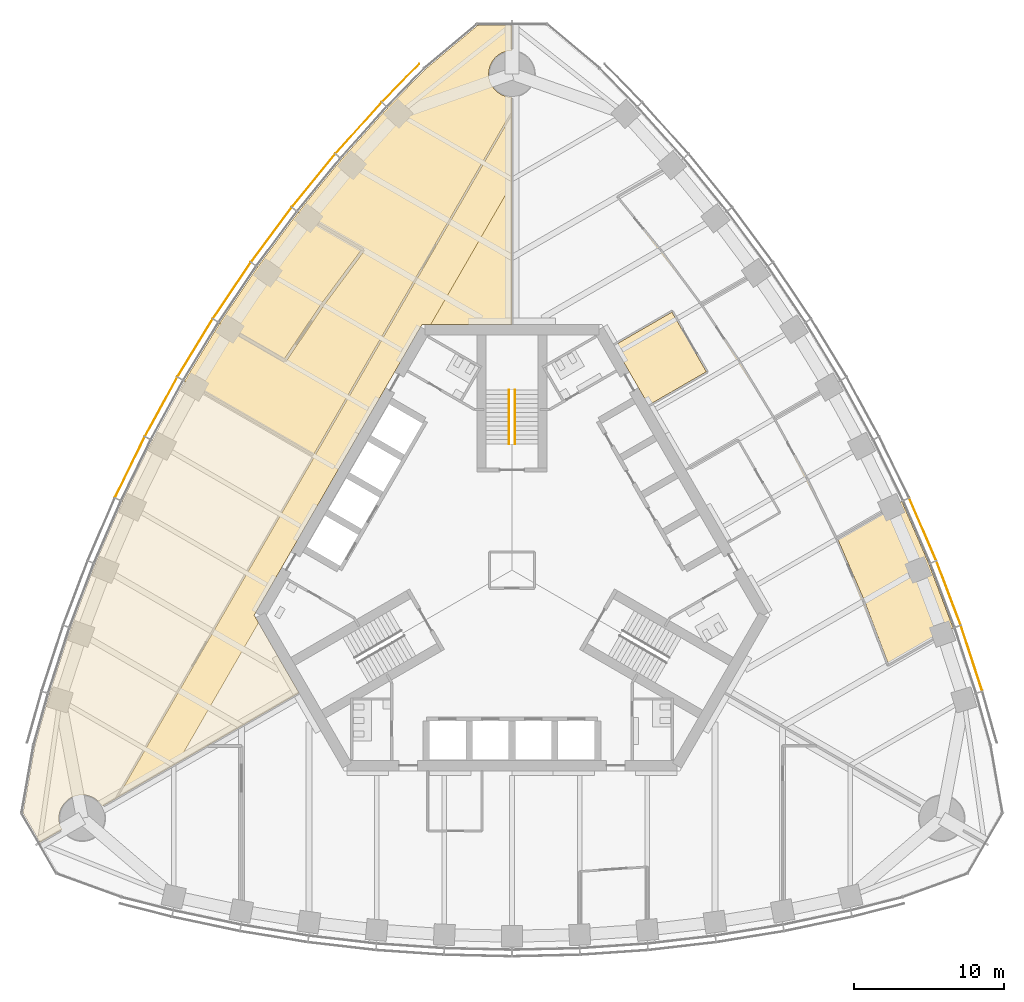
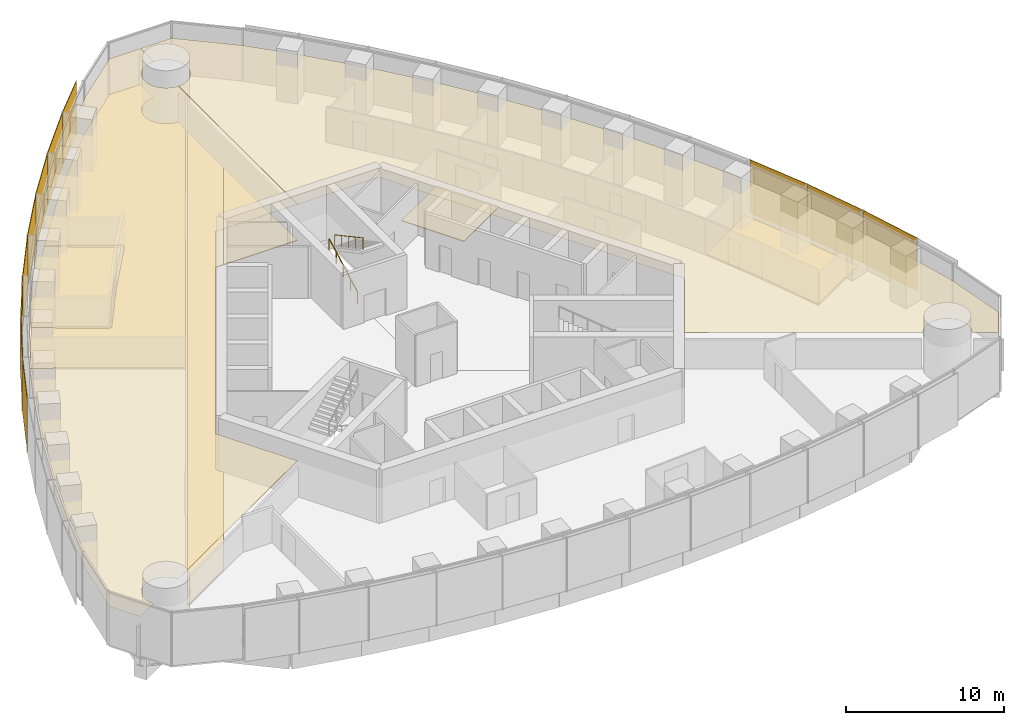
# One storey, part 16 of 19: 11 shading devices, 8 coverings, 2 railings.
"""IFC4 building model written with IfcOpenShell, lengths in metres."""

import ifcopenshell
import ifcopenshell.guid

model = None  # the IFC model being written
_history = None  # IfcOwnerHistory: only IFC2X3 demands one
_inside = {}  # id of a spatial element -> (the spatial element, [elements in it])
_under = {}  # id of a project, library or spatial element -> (it, [spatial elements below it])
_declared = {}  # id of a project -> (the project, [libraries it declares])
_typed = {}  # id of a type object -> (the type object, [elements of that type])
_made_of = {}  # id of a material, layer set ... -> (it, [elements and type objects made of it])


def new_model(schema):
    """Start an empty IFC model of exactly this schema.

    Asked for "IFC4X3", IfcOpenShell would pick the latest addendum, in which some entities
    have other attributes; the version numbers below select the first issue.
    IFC2X3 requires an IfcOwnerHistory on every rooted entity: one is made here for all.
    """
    global model, _history
    if schema == "IFC4X3":
        model = ifcopenshell.file(schema_version=(4, 3, 0, 0))
    else:
        model = ifcopenshell.file(schema=schema)
    _inside.clear()
    _under.clear()
    _declared.clear()
    _typed.clear()
    _made_of.clear()
    _history = None
    if model.schema == "IFC2X3":
        org = make("IfcOrganization", Name="unknown")
        user = make(
            "IfcPersonAndOrganization",
            ThePerson=make("IfcPerson", FamilyName="unknown"),
            TheOrganization=org,
        )
        app = make(
            "IfcApplication",
            ApplicationDeveloper=org,
            Version="unknown",
            ApplicationFullName="unknown",
            ApplicationIdentifier="unknown",
        )
        _history = make(
            "IfcOwnerHistory",
            OwningUser=user,
            OwningApplication=app,
            ChangeAction="ADDED",
            CreationDate=0,
        )
    return model


def make(cls, **values):
    """One entity of the class cls with the attributes given. An attribute that is None is left unset."""
    return model.create_entity(
        cls, **{name: value for name, value in values.items() if value is not None}
    )


def rooted(cls, **values):
    """An entity with a GlobalId (a new one), such as an element, a storey or a relation."""
    return make(cls, GlobalId=ifcopenshell.guid.new(), OwnerHistory=_history, **values)


def si_unit(unit_type, name, prefix=None):
    """IfcSIUnit, for example si_unit("LENGTHUNIT", "METRE", prefix="MILLI")."""
    return make("IfcSIUnit", UnitType=unit_type, Prefix=prefix, Name=name)


def assignment(units):
    """IfcUnitAssignment: the units of a project."""
    return None if units is None else make("IfcUnitAssignment", Units=units)


def point(xyz):
    """IfcCartesianPoint."""
    return None if xyz is None else make("IfcCartesianPoint", Coordinates=xyz)


def direction(xyz):
    """IfcDirection."""
    return None if xyz is None else make("IfcDirection", DirectionRatios=xyz)


def frame(location, z_axis=None, x_axis=None):
    """IfcAxis2Placement3D, a coordinate frame: its origin and axes. An axis left out is left unset."""
    return make(
        "IfcAxis2Placement3D",
        Location=point(location),
        Axis=direction(z_axis),
        RefDirection=direction(x_axis),
    )


def frame_2d(location, x_axis=None):
    """IfcAxis2Placement2D, a coordinate frame in the plane: its origin and x axis."""
    return make(
        "IfcAxis2Placement2D", Location=point(location), RefDirection=direction(x_axis)
    )


def origin():
    """The frame at (0, 0, 0) with its axes left unset."""
    return frame((0.0, 0.0, 0.0))


def origin_2d():
    """The frame at (0, 0) in the plane with its x axis left unset."""
    return frame_2d((0.0, 0.0))


def place(relative_to, where):
    """IfcLocalPlacement: puts the frame where relative to a parent placement (None: the world)."""
    return make(
        "IfcLocalPlacement", PlacementRelTo=relative_to, RelativePlacement=where
    )


def context(
    kind, dimensions, precision=None, world=None, true_north=None, identifier=None
):
    """IfcGeometricRepresentationContext, for example the 3D "Model" context."""
    return make(
        "IfcGeometricRepresentationContext",
        ContextIdentifier=identifier,
        ContextType=kind,
        CoordinateSpaceDimension=dimensions,
        Precision=precision,
        WorldCoordinateSystem=world,
        TrueNorth=true_north,
    )


def subcontext(parent, identifier, kind, view, scale=None):
    """IfcGeometricRepresentationSubContext, for example "Body" below "Model"."""
    return make(
        "IfcGeometricRepresentationSubContext",
        ContextIdentifier=identifier,
        ContextType=kind,
        ParentContext=parent,
        TargetScale=scale,
        TargetView=view,
    )


def project(units=None, contexts=None):
    """IfcProject with its units and contexts."""
    return rooted(
        "IfcProject",
        Name="project",
        RepresentationContexts=contexts,
        UnitsInContext=assignment(units),
    )


def spatial(cls, under=None, at=None, **own):
    """A site, building, storey or space (cls), placed at a placement, below another one or the project."""
    s = rooted(cls, ObjectPlacement=at, **own)
    if under is not None:
        _under.setdefault(under.id(), (under, []))[1].append(s)
    return s


def polyline(points):
    """IfcPolyline through the points."""
    return make("IfcPolyline", Points=[point(p) for p in points])


def profile(cls, at=None, kind="AREA", **sizes):
    """A parametric profile (cls). Its sizes go by their IFC names, for example OverallWidth=200.0."""
    return make(cls, ProfileType=kind, Position=at, **sizes)


def rectangle(**sizes):
    """IfcRectangleProfileDef."""
    return profile("IfcRectangleProfileDef", **sizes)


def circle(**sizes):
    """IfcCircleProfileDef."""
    return profile("IfcCircleProfileDef", **sizes)


def outline(outer, holes=None, kind="AREA"):
    """IfcArbitraryClosedProfileDef: a profile drawn as a closed curve; with holes, ...WithVoids."""
    if holes is None:
        return make("IfcArbitraryClosedProfileDef", ProfileType=kind, OuterCurve=outer)
    return make(
        "IfcArbitraryProfileDefWithVoids",
        ProfileType=kind,
        OuterCurve=outer,
        InnerCurves=holes,
    )


def extrude(swept, where, along, depth):
    """IfcExtrudedAreaSolid: the profile swept, set in the frame where, extruded along a direction by depth."""
    return make(
        "IfcExtrudedAreaSolid",
        SweptArea=swept,
        Position=where,
        ExtrudedDirection=direction(along),
        Depth=depth,
    )


def shape(context_of_items, identifier, shape_type, items):
    """IfcShapeRepresentation: the items that make up one representation, for example the "Body"."""
    return make(
        "IfcShapeRepresentation",
        ContextOfItems=context_of_items,
        RepresentationIdentifier=identifier,
        RepresentationType=shape_type,
        Items=items,
    )


def material(Name=None, Category=None):
    """IfcMaterial."""
    return make("IfcMaterial", Name=Name, Category=Category)


def layer(
    of_material, thickness, ventilated=None, Name=None, Category=None, Priority=None
):
    """IfcMaterialLayer: one layer of a wall or slab, of a material (None: an air gap)."""
    return make(
        "IfcMaterialLayer",
        Material=of_material,
        LayerThickness=thickness,
        IsVentilated=ventilated,
        Name=Name,
        Category=Category,
        Priority=Priority,
    )


def layer_set(layers, Name=None):
    """IfcMaterialLayerSet."""
    return make("IfcMaterialLayerSet", MaterialLayers=layers, LayerSetName=Name)


def made_of(thing, what):
    """Note that an element or type object is made of a material, layer set ...; save() writes the relation."""
    if what is not None:
        _made_of.setdefault(what.id(), (what, []))[1].append(thing)
    return thing


def type_object(cls, material=None, **own):
    """A type object (cls), such as IfcWallType, which elements share."""
    return made_of(rooted(cls, **own), material)


def element(
    cls,
    number,
    at=None,
    inside=None,
    cuts=None,
    type_object=None,
    material=None,
    context=None,
    identifier="Body",
    shape_type=None,
    held_by="IfcProductDefinitionShape",
    body=None,
    shapes=None,
    **own,
):
    """One element of the class cls, such as IfcWall. Its Tag is "e" and its number.

    at: its placement. inside: the storey or other place that contains it. cuts: it is an
    opening in that element (IfcRelVoidsElement). A single representation is given by context,
    identifier, shape_type and body (its items); several are given by shapes. held_by: the class
    of the entity that holds the representations. save() writes the other relations.
    """
    e = rooted(cls, Tag="e%d" % number, ObjectPlacement=at, **own)
    if body is not None:
        shapes = [shape(context, identifier, shape_type, body)]
    if shapes is not None:
        e.Representation = make(held_by, Representations=shapes)
    if inside is not None:
        _inside.setdefault(inside.id(), (inside, []))[1].append(e)
    if cuts is not None:
        rooted(
            "IfcRelVoidsElement", RelatingBuildingElement=cuts, RelatedOpeningElement=e
        )
    if type_object is not None:
        _typed.setdefault(type_object.id(), (type_object, []))[1].append(e)
    return made_of(e, material)


def aggregate(whole, parts):
    """IfcRelAggregates: a whole, such as a stair, and the parts it consists of."""
    return rooted("IfcRelAggregates", RelatingObject=whole, RelatedObjects=parts)


def save(model, path):
    """Write the relations noted so far, then the file.

    IfcRelAggregates (storeys below a building ...), IfcRelContainedInSpatialStructure (elements
    in a storey), IfcRelDefinesByType, IfcRelAssociatesMaterial and IfcRelDeclares: one each for
    every whole, place, type object, material and project.
    """
    for whole, parts in _under.values():
        aggregate(whole, parts)
    for where, things in _inside.values():
        rooted(
            "IfcRelContainedInSpatialStructure",
            RelatedElements=things,
            RelatingStructure=where,
        )
    for kind, things in _typed.values():
        rooted("IfcRelDefinesByType", RelatedObjects=things, RelatingType=kind)
    for what, things in _made_of.values():
        rooted("IfcRelAssociatesMaterial", RelatedObjects=things, RelatingMaterial=what)
    for by, libraries in _declared.values():
        rooted("IfcRelDeclares", RelatingContext=by, RelatedDefinitions=libraries)
    model.write(path)


model = new_model("IFC4")

# Units and contexts
model_context = context("Model", 3, precision=1e-05, world=origin(), true_north=direction((0.0, 1.0)))
body_context = subcontext(model_context, "Body", "Model", "MODEL_VIEW")
ifc_project = project(units=[si_unit("LENGTHUNIT", "METRE"), si_unit("AREAUNIT", "SQUARE_METRE"), si_unit("VOLUMEUNIT", "CUBIC_METRE"), si_unit("PLANEANGLEUNIT", "RADIAN"), si_unit("MASSUNIT", "GRAM", prefix="KILO")], contexts=[model_context])

# Site, building, storey
site_placement = place(None, origin())
site = spatial("IfcSite", under=ifc_project, at=site_placement, CompositionType="ELEMENT")
building_placement = place(site_placement, origin())
building = spatial("IfcBuilding", under=site, at=building_placement, Name="Trefoil Bronze Tower", CompositionType="ELEMENT")
storey_placement = place(building_placement, frame((0.0, 0.0, 256.89990234375)))
storey = spatial("IfcBuildingStorey", under=building, at=storey_placement, Name="L59", CompositionType="ELEMENT", Elevation=256.89990234375)

# Shading devices
ifc_material_1 = material(Name="Perforated bronze sheet", Category="bronze")
ifc_layer_1 = layer(ifc_material_1, 0.0400390625)
ifc_layer_set_1 = layer_set([ifc_layer_1], Name="Bronze solar screen panel")
shading_device_type = type_object("IfcShadingDeviceType", Name="Bronze solar screen panel", PredefinedType="SHUTTER", material=ifc_layer_set_1)
shading_device_1_placement = place(storey_placement, frame((30.5634765625, -5.86572265625, 0.050048828125), z_axis=(0.0, 0.0, 1.0), x_axis=(-0.310148591821, 0.950688093431, 0.0)))
element("IfcShadingDevice", 1, at=shading_device_1_placement, inside=storey, type_object=shading_device_type, Name="Solar screen CW-A L59 F2 bay 2", PredefinedType="SHUTTER", context=body_context, shape_type="SweptSolid", body=[
    extrude(rectangle(XDim=4.5693359375, YDim=0.0400390625, at=origin_2d()), origin(), (0.0, 0.0, 1.0), 4.10009765625),
])
shading_device_2_placement = place(storey_placement, frame((29.0341796875, -1.52392578125, 0.050048828125), z_axis=(0.0, 0.0, 1.0), x_axis=(-0.354233936517, 0.935156841508, 0.0)))
element("IfcShadingDevice", 2, at=shading_device_2_placement, inside=storey, type_object=shading_device_type, Name="Solar screen CW-A L59 F2 bay 3", PredefinedType="SHUTTER", context=body_context, shape_type="SweptSolid", body=[
    extrude(rectangle(XDim=4.529296875, YDim=0.0400390625, at=origin_2d()), origin(), (0.0, 0.0, 1.0), 4.10009765625),
])
shading_device_3_placement = place(storey_placement, frame((27.317626953125, 2.709716796875, 0.050048828125), z_axis=(0.0, 0.0, 1.0), x_axis=(-0.397220305764, 0.917723285467, 0.0)))
element("IfcShadingDevice", 3, at=shading_device_3_placement, inside=storey, type_object=shading_device_type, Name="Solar screen CW-A L59 F2 bay 4", PredefinedType="SHUTTER", context=body_context, shape_type="SweptSolid", body=[
    extrude(rectangle(XDim=4.5, YDim=0.0400390625, at=origin_2d()), origin(), (0.0, 0.0, 1.0), 4.10009765625),
])
shading_device_4_placement = place(storey_placement, frame((-7.40478515625, 32.40380859375, 0.050048828125), z_axis=(0.0, 0.0, 1.0), x_axis=(-0.698651812425, -0.715461840349, 0.0)))
element("IfcShadingDevice", 4, at=shading_device_4_placement, inside=storey, type_object=shading_device_type, Name="Solar screen CW-A L59 F3 bay 1", PredefinedType="SHUTTER", context=body_context, shape_type="SweptSolid", body=[
    extrude(rectangle(XDim=3.53369140625, YDim=0.0400390625, at=origin_2d()), origin(), (0.0, 0.0, 1.0), 4.10009765625),
])
shading_device_5_placement = place(storey_placement, frame((-10.20166015625, 29.401611328125, 0.050048828125), z_axis=(0.0, 0.0, 1.0), x_axis=(-0.668245744076, -0.743940606181, 0.0)))
element("IfcShadingDevice", 5, at=shading_device_5_placement, inside=storey, type_object=shading_device_type, Name="Solar screen CW-A L59 F3 bay 2", PredefinedType="SHUTTER", context=body_context, shape_type="SweptSolid", body=[
    extrude(rectangle(XDim=4.5693359375, YDim=0.0400390625, at=origin_2d()), origin(), (0.0, 0.0, 1.0), 4.10009765625),
])
shading_device_6_placement = place(storey_placement, frame((-13.197509765625, 25.90625, 0.050048828125), z_axis=(0.0, 0.0, 1.0), x_axis=(-0.63275261301, -0.774354008661, 0.0)))
element("IfcShadingDevice", 6, at=shading_device_6_placement, inside=storey, type_object=shading_device_type, Name="Solar screen CW-A L59 F3 bay 3", PredefinedType="SHUTTER", context=body_context, shape_type="SweptSolid", body=[
    extrude(rectangle(XDim=4.529296875, YDim=0.0400390625, at=origin_2d()), origin(), (0.0, 0.0, 1.0), 4.10009765625),
])
shading_device_7_placement = place(storey_placement, frame((-16.005615234375, 22.302734375, 0.050048828125), z_axis=(0.0, 0.0, 1.0), x_axis=(-0.596161525977, -0.802864518425, 0.0)))
element("IfcShadingDevice", 7, at=shading_device_7_placement, inside=storey, type_object=shading_device_type, Name="Solar screen CW-A L59 F3 bay 4", PredefinedType="SHUTTER", context=body_context, shape_type="SweptSolid", body=[
    extrude(rectangle(XDim=4.5, YDim=0.0400390625, at=origin_2d()), origin(), (0.0, 0.0, 1.0), 4.10009765625),
])
shading_device_8_placement = place(storey_placement, frame((-18.6298828125, 18.59326171875, 0.050048828125), z_axis=(0.0, 0.0, 1.0), x_axis=(-0.558493494706, -0.829508900718, 0.0)))
element("IfcShadingDevice", 8, at=shading_device_8_placement, inside=storey, type_object=shading_device_type, Name="Solar screen CW-A L59 F3 bay 5", PredefinedType="SHUTTER", context=body_context, shape_type="SweptSolid", body=[
    extrude(rectangle(XDim=4.480712890625, YDim=0.0400390625, at=origin_2d()), origin(), (0.0, 0.0, 1.0), 4.10009765625),
])
for number, where, z_axis, x_axis, name in (
    (9, (-21.07275390625, 14.77880859375, 0.050048828125), (0.0, 0.0, 1.0), (-0.519762112739, -0.854311035959, 0.0), "Solar screen CW-A L59 F3 bay 6"),
    (10, (-23.3349609375, 10.860107421875, 0.050048828125), (0.0, 0.0, 1.0), (-0.479974003504, -0.877282711536, 0.0), "Solar screen CW-A L59 F3 bay 7"),
):
    element("IfcShadingDevice", number, at=place(storey_placement, frame(where, z_axis=z_axis, x_axis=x_axis)), inside=storey, type_object=shading_device_type, Name=name, PredefinedType="SHUTTER", context=body_context, shape_type="SweptSolid", body=[
        extrude(rectangle(XDim=4.47119140625, YDim=0.0400390625, at=origin_2d()), origin(), (0.0, 0.0, 1.0), 4.10009765625),
    ])
shading_device_9_placement = place(storey_placement, frame((-25.4169921875, 6.83740234375, 0.050048828125), z_axis=(0.0, 0.0, 1.0), x_axis=(-0.439129033334, -0.898424004623, 0.0)))
element("IfcShadingDevice", 11, at=shading_device_9_placement, inside=storey, type_object=shading_device_type, Name="Solar screen CW-A L59 F3 bay 8", PredefinedType="SHUTTER", context=body_context, shape_type="SweptSolid", body=[
    extrude(rectangle(XDim=4.480712890625, YDim=0.0400390625, at=origin_2d()), origin(), (0.0, 0.0, 1.0), 4.10009765625),
])

# Railings
ifc_material_2 = material(Name="Steel handrail", Category="steel")
railing_type = type_object("IfcRailingType", Name="Handrail 900", PredefinedType="HANDRAIL", material=ifc_material_2)
railing_1_placement = place(storey_placement, frame((-0.199951171875, 8.389892578125, 0.16162109375)))
element("IfcRailing", 12, at=railing_1_placement, inside=storey, type_object=railing_type, Name="Handrail ST2 flight 1 L59", PredefinedType="HANDRAIL", context=body_context, shape_type="SweptSolid", body=[
    extrude(circle(Radius=0.02392578125, at=origin_2d()), frame((0.0, 0.0, 0.8759765625), z_axis=(0.0, 0.880474934443, 0.474092701714), x_axis=(-1.0, 0.0, 0.0)), (0.0, 0.0, 1.0), 4.0888671875),
    extrude(circle(Radius=0.02099609375, at=origin_2d()), origin(), (0.0, 0.0, 1.0), 0.851806640625),
    extrude(circle(Radius=0.02099609375, at=origin_2d()), frame((0.0, 0.89990234375, 0.484619140625)), (0.0, 0.0, 1.0), 0.851806640625),
    extrude(circle(Radius=0.02099609375, at=origin_2d()), frame((0.0, 1.800048828125, 0.96923828125)), (0.0, 0.0, 1.0), 0.851806640625),
    extrude(circle(Radius=0.02099609375, at=origin_2d()), frame((0.0, 2.7001953125, 1.453857421875)), (0.0, 0.0, 1.0), 0.851806640625),
    extrude(circle(Radius=0.02099609375, at=origin_2d()), frame((0.0, 3.60009765625, 1.9384765625)), (0.0, 0.0, 1.0), 0.851806640625),
])
railing_2_placement = place(storey_placement, frame((0.199951171875, 11.989990234375, 2.26171875)))
element("IfcRailing", 13, at=railing_2_placement, inside=storey, type_object=railing_type, Name="Handrail ST2 flight 2 L59", PredefinedType="HANDRAIL", context=body_context, shape_type="SweptSolid", body=[
    extrude(circle(Radius=0.02392578125, at=origin_2d()), frame((0.0, 0.0, 0.8759765625), z_axis=(0.0, -0.880474934443, 0.474092701714), x_axis=(1.0, 0.0, 0.0)), (0.0, 0.0, 1.0), 4.0888671875),
    extrude(circle(Radius=0.02099609375, at=origin_2d()), origin(), (0.0, 0.0, 1.0), 0.851806640625),
    extrude(circle(Radius=0.02099609375, at=origin_2d()), frame((0.0, -0.89990234375, 0.484619140625)), (0.0, 0.0, 1.0), 0.851806640625),
    extrude(circle(Radius=0.02099609375, at=origin_2d()), frame((0.0, -1.800048828125, 0.96923828125)), (0.0, 0.0, 1.0), 0.851806640625),
    extrude(circle(Radius=0.02099609375, at=origin_2d()), frame((0.0, -2.7001953125, 1.453857421875)), (0.0, 0.0, 1.0), 0.851806640625),
    extrude(circle(Radius=0.02099609375, at=origin_2d()), frame((0.0, -3.60009765625, 1.9384765625)), (0.0, 0.0, 1.0), 0.851806640625),
])

# Coverings
ifc_material_3 = material(Name="Acoustic ceiling panels", Category="mineral fibre")
ifc_layer_2 = layer(ifc_material_3, 0.02001953125)
ifc_layer_set_2 = layer_set([ifc_layer_2], Name="Office ceiling 20")
covering_type_1 = type_object("IfcCoveringType", Name="Office ceiling 20", PredefinedType="CEILING", material=ifc_layer_set_2)
covering_1_placement = place(storey_placement, frame((0.0, 0.0, 2.900146484375)))
element("IfcCovering", 14, at=covering_1_placement, inside=storey, type_object=covering_type_1, Name="Ceiling L59 PA area F2", PredefinedType="CEILING", context=body_context, shape_type="SweptSolid", body=[
    extrude(outline(polyline([(8.26318359375, 30.751708984375), (11.3369140625, 27.329833984375), (14.2216796875, 23.79931640625), (16.92236328125, 20.162353515625), (19.44140625, 16.420654296875), (21.781005859375, 12.5751953125), (23.94140625, 8.62646484375), (25.92236328125, 4.573974609375), (27.7216796875, 0.416748046875), (29.3369140625, -3.846923828125), (30.76318359375, -8.219482421875), (31.7265625, -11.650634765625), (32.518310546875, -16.1416015625), (31.385009765625, -18.1044921875), (29.92724609375, -17.263427734375), (29.94580078125, -17.230712890625), (29.97998046875, -17.16259765625), (30.010986328125, -17.09326171875), (30.0380859375, -17.022216796875), (30.06201171875, -16.949951171875), (30.08251953125, -16.876708984375), (30.09912109375, -16.802490234375), (30.112060546875, -16.727294921875), (30.121337890625, -16.65185546875), (30.126953125, -16.576171875), (30.12890625, -16.5), (30.126953125, -16.423828125), (30.121337890625, -16.34814453125), (30.112060546875, -16.272705078125), (30.09912109375, -16.197509765625), (30.08251953125, -16.123291015625), (30.06201171875, -16.050048828125), (30.0380859375, -15.977783203125), (30.010986328125, -15.90673828125), (29.97998046875, -15.83740234375), (29.94580078125, -15.769287109375), (29.908203125, -15.703125), (29.86767578125, -15.638916015625), (29.82373046875, -15.57666015625), (29.777099609375, -15.5166015625), (29.727294921875, -15.458984375), (29.6748046875, -15.404052734375), (29.619873046875, -15.3515625), (29.56201171875, -15.3017578125), (29.502197265625, -15.2548828125), (29.43994140625, -15.211181640625), (29.375732421875, -15.17041015625), (29.3095703125, -15.133056640625), (29.241455078125, -15.098876953125), (29.172119140625, -15.068115234375), (29.10107421875, -15.04052734375), (29.02880859375, -15.0166015625), (28.95556640625, -14.99658203125), (28.881103515625, -14.979736328125), (28.806396484375, -14.966796875), (28.730712890625, -14.95751953125), (28.65478515625, -14.951904296875), (28.578857421875, -14.949951171875), (28.502685546875, -14.951904296875), (28.427001953125, -14.95751953125), (28.351318359375, -14.966796875), (28.2763671875, -14.979736328125), (28.2021484375, -14.99658203125), (28.12890625, -15.0166015625), (28.056640625, -15.04052734375), (27.985595703125, -15.068115234375), (27.916015625, -15.098876953125), (27.84814453125, -15.133056640625), (27.781982421875, -15.17041015625), (27.7177734375, -15.211181640625), (27.655517578125, -15.2548828125), (27.595458984375, -15.3017578125), (27.537841796875, -15.3515625), (27.48291015625, -15.404052734375), (27.430419921875, -15.458984375), (27.380615234375, -15.5166015625), (27.333984375, -15.57666015625), (27.2900390625, -15.638916015625), (27.24267578125, -15.71484375), (14.16259765625, -8.169677734375), (17.147216796875, -3.0), (5.9755859375, 16.35009765625), (0.006103515625, 16.35009765625), (0.01171875, 31.4501953125), (0.076171875, 31.451904296875), (0.15185546875, 31.45751953125), (0.227294921875, 31.466796875), (0.302490234375, 31.479736328125), (0.376708984375, 31.49658203125), (0.449951171875, 31.5166015625), (0.522216796875, 31.54052734375), (0.59326171875, 31.568115234375), (0.66259765625, 31.598876953125), (0.730712890625, 31.633056640625), (0.796875, 31.67041015625), (0.861083984375, 31.711181640625), (0.92333984375, 31.7548828125), (0.9833984375, 31.8017578125), (1.041015625, 31.8515625), (1.095947265625, 31.904052734375), (1.1484375, 31.958984375), (1.1982421875, 32.0166015625), (1.2451171875, 32.07666015625), (1.288818359375, 32.138916015625), (1.32958984375, 32.203125), (1.366943359375, 32.269287109375), (1.401123046875, 32.33740234375), (1.431884765625, 32.40673828125), (1.45947265625, 32.477783203125), (1.4833984375, 32.550048828125), (1.50341796875, 32.623291015625), (1.520263671875, 32.697509765625), (1.533203125, 32.772705078125), (1.54248046875, 32.84814453125), (1.548095703125, 32.923828125), (1.550048828125, 33.0), (1.548095703125, 33.076171875), (1.54248046875, 33.15185546875), (1.533203125, 33.227294921875), (1.520263671875, 33.302490234375), (1.50341796875, 33.376708984375), (1.4833984375, 33.449951171875), (1.45947265625, 33.522216796875), (1.431884765625, 33.59326171875), (1.401123046875, 33.66259765625), (1.366943359375, 33.730712890625), (1.32958984375, 33.796875), (1.288818359375, 33.861083984375), (1.2451171875, 33.92333984375), (1.1982421875, 33.9833984375), (1.1484375, 34.041015625), (1.095947265625, 34.095947265625), (1.041015625, 34.1484375), (0.9833984375, 34.1982421875), (0.92333984375, 34.2451171875), (0.861083984375, 34.288818359375), (0.796875, 34.32958984375), (0.730712890625, 34.366943359375), (0.66259765625, 34.401123046875), (0.59326171875, 34.431884765625), (0.522216796875, 34.45947265625), (0.449951171875, 34.4833984375), (0.376708984375, 34.50341796875), (0.302490234375, 34.520263671875), (0.227294921875, 34.533203125), (0.15185546875, 34.54248046875), (0.076171875, 34.548095703125), (0.012939453125, 34.5498046875), (0.013671875, 36.232666015625), (2.280029296875, 36.232666015625), (5.7734375, 33.30126953125), (8.26318359375, 30.751708984375)])), origin(), (0.0, 0.0, 1.0), 0.02001953125),
])
covering_2_placement = place(storey_placement, frame((0.0, 0.0, 2.900146484375)))
element("IfcCovering", 15, at=covering_2_placement, inside=storey, type_object=covering_type_1, Name="Ceiling L59 PA area F3", PredefinedType="CEILING", context=body_context, shape_type="SweptSolid", body=[
    extrude(outline(polyline([(-30.76318359375, -8.219482421875), (-29.3369140625, -3.846923828125), (-27.7216796875, 0.416748046875), (-25.92236328125, 4.573974609375), (-23.94140625, 8.62646484375), (-21.781005859375, 12.5751953125), (-19.44140625, 16.420654296875), (-16.92236328125, 20.162353515625), (-14.2216796875, 23.79931640625), (-11.3369140625, 27.329833984375), (-8.26318359375, 30.751708984375), (-5.7734375, 33.30126953125), (-2.280029296875, 36.232666015625), (-0.013671875, 36.232666015625), (-0.012939453125, 34.5498046875), (-0.076171875, 34.548095703125), (-0.15185546875, 34.54248046875), (-0.227294921875, 34.533203125), (-0.302490234375, 34.520263671875), (-0.376708984375, 34.50341796875), (-0.449951171875, 34.4833984375), (-0.522216796875, 34.45947265625), (-0.59326171875, 34.431884765625), (-0.66259765625, 34.401123046875), (-0.730712890625, 34.366943359375), (-0.796875, 34.32958984375), (-0.861083984375, 34.288818359375), (-0.92333984375, 34.2451171875), (-0.9833984375, 34.1982421875), (-1.041015625, 34.1484375), (-1.095947265625, 34.095947265625), (-1.1484375, 34.041015625), (-1.1982421875, 33.9833984375), (-1.2451171875, 33.92333984375), (-1.288818359375, 33.861083984375), (-1.32958984375, 33.796875), (-1.366943359375, 33.730712890625), (-1.401123046875, 33.66259765625), (-1.431884765625, 33.59326171875), (-1.45947265625, 33.522216796875), (-1.4833984375, 33.449951171875), (-1.50341796875, 33.376708984375), (-1.520263671875, 33.302490234375), (-1.533203125, 33.227294921875), (-1.54248046875, 33.15185546875), (-1.548095703125, 33.076171875), (-1.550048828125, 33.0), (-1.548095703125, 32.923828125), (-1.54248046875, 32.84814453125), (-1.533203125, 32.772705078125), (-1.520263671875, 32.697509765625), (-1.50341796875, 32.623291015625), (-1.4833984375, 32.550048828125), (-1.45947265625, 32.477783203125), (-1.431884765625, 32.40673828125), (-1.401123046875, 32.33740234375), (-1.366943359375, 32.269287109375), (-1.32958984375, 32.203125), (-1.288818359375, 32.138916015625), (-1.2451171875, 32.07666015625), (-1.1982421875, 32.0166015625), (-1.1484375, 31.958984375), (-1.095947265625, 31.904052734375), (-1.041015625, 31.8515625), (-0.9833984375, 31.8017578125), (-0.92333984375, 31.7548828125), (-0.861083984375, 31.711181640625), (-0.796875, 31.67041015625), (-0.730712890625, 31.633056640625), (-0.66259765625, 31.598876953125), (-0.59326171875, 31.568115234375), (-0.522216796875, 31.54052734375), (-0.449951171875, 31.5166015625), (-0.376708984375, 31.49658203125), (-0.302490234375, 31.479736328125), (-0.227294921875, 31.466796875), (-0.15185546875, 31.45751953125), (-0.076171875, 31.451904296875), (-0.01171875, 31.4501953125), (-0.006103515625, 16.35009765625), (-5.9755859375, 16.35009765625), (-17.147216796875, -3.0), (-14.16259765625, -8.169677734375), (-27.24267578125, -15.71484375), (-27.2900390625, -15.638916015625), (-27.333984375, -15.57666015625), (-27.380615234375, -15.5166015625), (-27.430419921875, -15.458984375), (-27.48291015625, -15.404052734375), (-27.537841796875, -15.3515625), (-27.595458984375, -15.3017578125), (-27.655517578125, -15.2548828125), (-27.7177734375, -15.211181640625), (-27.781982421875, -15.17041015625), (-27.84814453125, -15.133056640625), (-27.916015625, -15.098876953125), (-27.985595703125, -15.068115234375), (-28.056640625, -15.04052734375), (-28.12890625, -15.0166015625), (-28.2021484375, -14.99658203125), (-28.2763671875, -14.979736328125), (-28.351318359375, -14.966796875), (-28.427001953125, -14.95751953125), (-28.502685546875, -14.951904296875), (-28.578857421875, -14.949951171875), (-28.65478515625, -14.951904296875), (-28.730712890625, -14.95751953125), (-28.806396484375, -14.966796875), (-28.881103515625, -14.979736328125), (-28.95556640625, -14.99658203125), (-29.02880859375, -15.0166015625), (-29.10107421875, -15.04052734375), (-29.172119140625, -15.068115234375), (-29.241455078125, -15.098876953125), (-29.3095703125, -15.133056640625), (-29.375732421875, -15.17041015625), (-29.43994140625, -15.211181640625), (-29.502197265625, -15.2548828125), (-29.56201171875, -15.3017578125), (-29.619873046875, -15.3515625), (-29.6748046875, -15.404052734375), (-29.727294921875, -15.458984375), (-29.777099609375, -15.5166015625), (-29.82373046875, -15.57666015625), (-29.86767578125, -15.638916015625), (-29.908203125, -15.703125), (-29.94580078125, -15.769287109375), (-29.97998046875, -15.83740234375), (-30.010986328125, -15.90673828125), (-30.0380859375, -15.977783203125), (-30.06201171875, -16.050048828125), (-30.08251953125, -16.123291015625), (-30.09912109375, -16.197509765625), (-30.112060546875, -16.272705078125), (-30.121337890625, -16.34814453125), (-30.126953125, -16.423828125), (-30.12890625, -16.5), (-30.126953125, -16.576171875), (-30.121337890625, -16.65185546875), (-30.112060546875, -16.727294921875), (-30.09912109375, -16.802490234375), (-30.08251953125, -16.876708984375), (-30.06201171875, -16.949951171875), (-30.0380859375, -17.022216796875), (-30.010986328125, -17.09326171875), (-29.97998046875, -17.16259765625), (-29.94580078125, -17.230712890625), (-29.92724609375, -17.263427734375), (-31.385009765625, -18.1044921875), (-32.518310546875, -16.1416015625), (-31.7265625, -11.650634765625), (-30.76318359375, -8.219482421875)])), origin(), (0.0, 0.0, 1.0), 0.02001953125),
])
ifc_material_4 = material(Name="Raised access floor panels", Category="steel")
ifc_layer_3 = layer(ifc_material_4, 0.050048828125)
ifc_layer_set_3 = layer_set([ifc_layer_3], Name="Raised access floor 150")
covering_type_2 = type_object("IfcCoveringType", Name="Raised access floor 150", PredefinedType="FLOORING", material=ifc_layer_set_3)
covering_3_placement = place(storey_placement, frame((0.0, 0.0, 0.10009765625)))
element("IfcCovering", 16, at=covering_3_placement, inside=storey, type_object=covering_type_2, Name="Raised floor L59 Reception F2", PredefinedType="FLOORING", context=body_context, shape_type="SweptSolid", body=[
    extrude(outline(polyline([(6.79150390625, 14.93701171875), (10.63671875, 17.156982421875), (12.926513671875, 13.1904296875), (9.081298828125, 10.970458984375), (6.79150390625, 14.93701171875)])), origin(), (0.0, 0.0, 1.0), 0.050048828125),
])
covering_4_placement = place(storey_placement, frame((0.0, 0.0, 0.10009765625)))
element("IfcCovering", 17, at=covering_4_placement, inside=storey, type_object=covering_type_2, Name="Raised floor L59 Executive office F2", PredefinedType="FLOORING", context=body_context, shape_type="SweptSolid", body=[
    extrude(outline(polyline([(27.7216796875, 0.416748046875), (29.3369140625, -3.846923828125), (27.989013671875, -4.625244140625), (27.958984375, -4.5732421875), (25.037841796875, -6.259765625), (23.44775390625, -2.06201171875), (23.3916015625, -2.083251953125), (23.44677734375, -2.0595703125), (21.66845703125, 2.048583984375), (24.62158203125, 3.75390625), (24.591796875, 3.8056640625), (25.92236328125, 4.573974609375), (27.7216796875, 0.416748046875)])), origin(), (0.0, 0.0, 1.0), 0.050048828125),
])
covering_5_placement = place(storey_placement, frame((0.0, 0.0, 0.10009765625)))
element("IfcCovering", 18, at=covering_5_placement, inside=storey, type_object=covering_type_2, Name="Raised floor L59 Boardroom F3", PredefinedType="FLOORING", context=body_context, shape_type="SweptSolid", body=[
    extrude(outline(polyline([(-16.92236328125, 20.162353515625), (-14.2216796875, 23.79931640625), (-12.884033203125, 23.027099609375), (-12.93408203125, 22.9404296875), (-10.038818359375, 21.268798828125), (-12.672607421875, 17.721923828125), (-12.59228515625, 17.662353515625), (-12.67529296875, 17.71826171875), (-15.14208984375, 14.053955078125), (-18.065185546875, 15.741455078125), (-18.114990234375, 15.65478515625), (-19.44140625, 16.420654296875), (-16.92236328125, 20.162353515625)])), origin(), (0.0, 0.0, 1.0), 0.050048828125),
])
covering_6_placement = place(storey_placement, frame((0.0, 0.0, 0.10009765625)))
element("IfcCovering", 19, at=covering_6_placement, inside=storey, type_object=covering_type_2, Name="Raised floor L59 Corridor F3", PredefinedType="FLOORING", context=body_context, shape_type="SweptSolid", body=[
    extrude(outline(polyline([(-0.011474609375, 30.2802734375), (-0.009521484375, 25.683349609375), (-5.398193359375, 16.35009765625), (-5.9755859375, 16.35009765625), (-17.147216796875, -3.0), (-16.858642578125, -3.5), (-22.247314453125, -12.833251953125), (-26.229248046875, -15.13037109375), (-0.011474609375, 30.2802734375)])), origin(), (0.0, 0.0, 1.0), 0.050048828125),
])
covering_7_placement = place(storey_placement, frame((0.0, 0.0, 0.10009765625)))
element("IfcCovering", 20, at=covering_7_placement, inside=storey, type_object=covering_type_2, Name="Raised floor L59 PA area F3", PredefinedType="FLOORING", context=body_context, shape_type="SweptSolid", body=[
    extrude(outline(polyline([(-11.3369140625, 27.329833984375), (-8.26318359375, 30.751708984375), (-5.7734375, 33.30126953125), (-2.280029296875, 36.232666015625), (-0.013671875, 36.232666015625), (-0.012939453125, 34.5498046875), (-0.076171875, 34.548095703125), (-0.15185546875, 34.54248046875), (-0.227294921875, 34.533203125), (-0.302490234375, 34.520263671875), (-0.376708984375, 34.50341796875), (-0.449951171875, 34.4833984375), (-0.522216796875, 34.45947265625), (-0.59326171875, 34.431884765625), (-0.66259765625, 34.401123046875), (-0.730712890625, 34.366943359375), (-0.796875, 34.32958984375), (-0.861083984375, 34.288818359375), (-0.92333984375, 34.2451171875), (-0.9833984375, 34.1982421875), (-1.041015625, 34.1484375), (-1.095947265625, 34.095947265625), (-1.1484375, 34.041015625), (-1.1982421875, 33.9833984375), (-1.2451171875, 33.92333984375), (-1.288818359375, 33.861083984375), (-1.32958984375, 33.796875), (-1.366943359375, 33.730712890625), (-1.401123046875, 33.66259765625), (-1.431884765625, 33.59326171875), (-1.45947265625, 33.522216796875), (-1.4833984375, 33.449951171875), (-1.50341796875, 33.376708984375), (-1.520263671875, 33.302490234375), (-1.533203125, 33.227294921875), (-1.54248046875, 33.15185546875), (-1.548095703125, 33.076171875), (-1.550048828125, 33.0), (-1.548095703125, 32.923828125), (-1.54248046875, 32.84814453125), (-1.533203125, 32.772705078125), (-1.520263671875, 32.697509765625), (-1.50341796875, 32.623291015625), (-1.4833984375, 32.550048828125), (-1.45947265625, 32.477783203125), (-1.431884765625, 32.40673828125), (-1.401123046875, 32.33740234375), (-1.366943359375, 32.269287109375), (-1.32958984375, 32.203125), (-1.288818359375, 32.138916015625), (-1.2451171875, 32.07666015625), (-1.1982421875, 32.0166015625), (-1.1484375, 31.958984375), (-1.095947265625, 31.904052734375), (-1.041015625, 31.8515625), (-0.9833984375, 31.8017578125), (-0.92333984375, 31.7548828125), (-0.861083984375, 31.711181640625), (-0.796875, 31.67041015625), (-0.730712890625, 31.633056640625), (-0.66259765625, 31.598876953125), (-0.59326171875, 31.568115234375), (-0.522216796875, 31.54052734375), (-0.449951171875, 31.5166015625), (-0.376708984375, 31.49658203125), (-0.302490234375, 31.479736328125), (-0.227294921875, 31.466796875), (-0.15185546875, 31.45751953125), (-0.076171875, 31.451904296875), (-0.01171875, 31.4501953125), (-0.011474609375, 30.388671875), (-0.068359375, 30.421630859375), (-13.186767578125, 7.699951171875), (-20.418701171875, 11.875244140625), (-20.45556640625, 11.811279296875), (-21.780517578125, 12.576171875), (-19.44140625, 16.420654296875), (-18.114990234375, 15.65478515625), (-18.1650390625, 15.568359375), (-15.161376953125, 13.833984375), (-15.111328125, 13.920654296875), (-15.028564453125, 13.864990234375), (-12.61328125, 17.451904296875), (-12.400390625, 17.753173828125), (-9.811279296875, 21.23974609375), (-9.8916015625, 21.29931640625), (-9.841552734375, 21.385986328125), (-12.833984375, 23.11376953125), (-12.884033203125, 23.027099609375), (-14.2216796875, 23.79931640625), (-11.3369140625, 27.329833984375)])), origin(), (0.0, 0.0, 1.0), 0.050048828125),
])
covering_8_placement = place(storey_placement, frame((0.0, 0.0, 0.10009765625)))
element("IfcCovering", 21, at=covering_8_placement, inside=storey, type_object=covering_type_2, Name="Raised floor L59 PA area F3", PredefinedType="FLOORING", context=body_context, shape_type="SweptSolid", body=[
    extrude(outline(polyline([(-0.006103515625, 16.35009765625), (-5.398193359375, 16.35009765625), (-0.009521484375, 25.683349609375), (-0.006103515625, 16.35009765625)])), origin(), (0.0, 0.0, 1.0), 0.050048828125),
])

save(model, "model.ifc")
